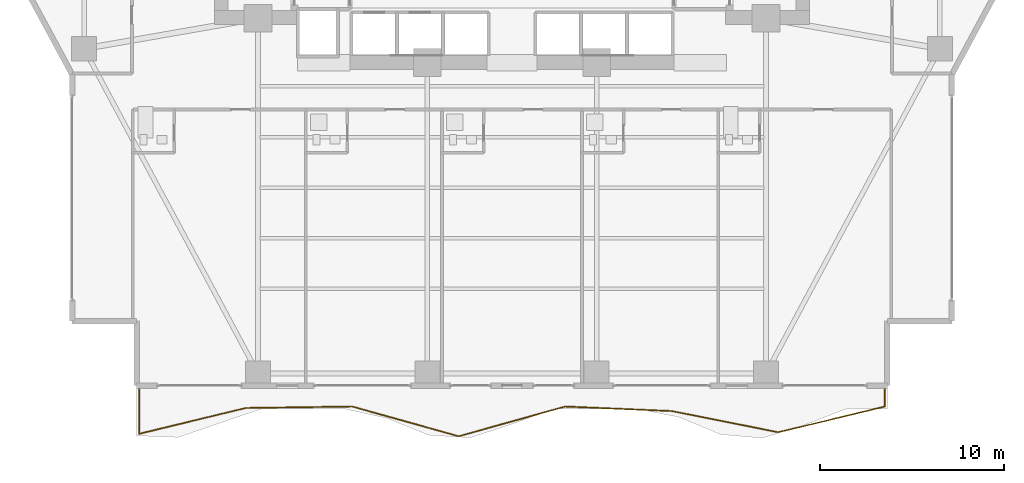
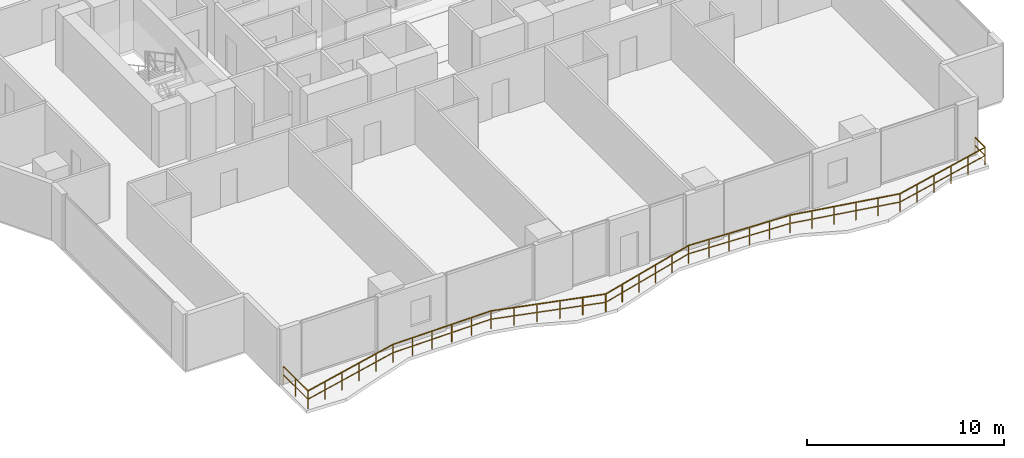
# One storey, part 24 of 27: 1 railing.
"""IFC4 building model written with IfcOpenShell, lengths in metres."""

import ifcopenshell
import ifcopenshell.guid

model = None  # the IFC model being written
_history = None  # IfcOwnerHistory: only IFC2X3 demands one
_inside = {}  # id of a spatial element -> (the spatial element, [elements in it])
_under = {}  # id of a project, library or spatial element -> (it, [spatial elements below it])
_declared = {}  # id of a project -> (the project, [libraries it declares])
_typed = {}  # id of a type object -> (the type object, [elements of that type])
_made_of = {}  # id of a material, layer set ... -> (it, [elements and type objects made of it])


def new_model(schema):
    """Start an empty IFC model of exactly this schema.

    Asked for "IFC4X3", IfcOpenShell would pick the latest addendum, in which some entities
    have other attributes; the version numbers below select the first issue.
    IFC2X3 requires an IfcOwnerHistory on every rooted entity: one is made here for all.
    """
    global model, _history
    if schema == "IFC4X3":
        model = ifcopenshell.file(schema_version=(4, 3, 0, 0))
    else:
        model = ifcopenshell.file(schema=schema)
    _inside.clear()
    _under.clear()
    _declared.clear()
    _typed.clear()
    _made_of.clear()
    _history = None
    if model.schema == "IFC2X3":
        org = make("IfcOrganization", Name="unknown")
        user = make(
            "IfcPersonAndOrganization",
            ThePerson=make("IfcPerson", FamilyName="unknown"),
            TheOrganization=org,
        )
        app = make(
            "IfcApplication",
            ApplicationDeveloper=org,
            Version="unknown",
            ApplicationFullName="unknown",
            ApplicationIdentifier="unknown",
        )
        _history = make(
            "IfcOwnerHistory",
            OwningUser=user,
            OwningApplication=app,
            ChangeAction="ADDED",
            CreationDate=0,
        )
    return model


def make(cls, **values):
    """One entity of the class cls with the attributes given. An attribute that is None is left unset."""
    return model.create_entity(
        cls, **{name: value for name, value in values.items() if value is not None}
    )


def rooted(cls, **values):
    """An entity with a GlobalId (a new one), such as an element, a storey or a relation."""
    return make(cls, GlobalId=ifcopenshell.guid.new(), OwnerHistory=_history, **values)


def si_unit(unit_type, name, prefix=None):
    """IfcSIUnit, for example si_unit("LENGTHUNIT", "METRE", prefix="MILLI")."""
    return make("IfcSIUnit", UnitType=unit_type, Prefix=prefix, Name=name)


def assignment(units):
    """IfcUnitAssignment: the units of a project."""
    return None if units is None else make("IfcUnitAssignment", Units=units)


def point(xyz):
    """IfcCartesianPoint."""
    return None if xyz is None else make("IfcCartesianPoint", Coordinates=xyz)


def direction(xyz):
    """IfcDirection."""
    return None if xyz is None else make("IfcDirection", DirectionRatios=xyz)


def frame(location, z_axis=None, x_axis=None):
    """IfcAxis2Placement3D, a coordinate frame: its origin and axes. An axis left out is left unset."""
    return make(
        "IfcAxis2Placement3D",
        Location=point(location),
        Axis=direction(z_axis),
        RefDirection=direction(x_axis),
    )


def frame_2d(location, x_axis=None):
    """IfcAxis2Placement2D, a coordinate frame in the plane: its origin and x axis."""
    return make(
        "IfcAxis2Placement2D", Location=point(location), RefDirection=direction(x_axis)
    )


def origin():
    """The frame at (0, 0, 0) with its axes left unset."""
    return frame((0.0, 0.0, 0.0))


def origin_2d():
    """The frame at (0, 0) in the plane with its x axis left unset."""
    return frame_2d((0.0, 0.0))


def place(relative_to, where):
    """IfcLocalPlacement: puts the frame where relative to a parent placement (None: the world)."""
    return make(
        "IfcLocalPlacement", PlacementRelTo=relative_to, RelativePlacement=where
    )


def context(
    kind, dimensions, precision=None, world=None, true_north=None, identifier=None
):
    """IfcGeometricRepresentationContext, for example the 3D "Model" context."""
    return make(
        "IfcGeometricRepresentationContext",
        ContextIdentifier=identifier,
        ContextType=kind,
        CoordinateSpaceDimension=dimensions,
        Precision=precision,
        WorldCoordinateSystem=world,
        TrueNorth=true_north,
    )


def subcontext(parent, identifier, kind, view, scale=None):
    """IfcGeometricRepresentationSubContext, for example "Body" below "Model"."""
    return make(
        "IfcGeometricRepresentationSubContext",
        ContextIdentifier=identifier,
        ContextType=kind,
        ParentContext=parent,
        TargetScale=scale,
        TargetView=view,
    )


def project(units=None, contexts=None):
    """IfcProject with its units and contexts."""
    return rooted(
        "IfcProject",
        Name="project",
        RepresentationContexts=contexts,
        UnitsInContext=assignment(units),
    )


def spatial(cls, under=None, at=None, **own):
    """A site, building, storey or space (cls), placed at a placement, below another one or the project."""
    s = rooted(cls, ObjectPlacement=at, **own)
    if under is not None:
        _under.setdefault(under.id(), (under, []))[1].append(s)
    return s


def profile(cls, at=None, kind="AREA", **sizes):
    """A parametric profile (cls). Its sizes go by their IFC names, for example OverallWidth=200.0."""
    return make(cls, ProfileType=kind, Position=at, **sizes)


def rectangle(**sizes):
    """IfcRectangleProfileDef."""
    return profile("IfcRectangleProfileDef", **sizes)


def extrude(swept, where, along, depth):
    """IfcExtrudedAreaSolid: the profile swept, set in the frame where, extruded along a direction by depth."""
    return make(
        "IfcExtrudedAreaSolid",
        SweptArea=swept,
        Position=where,
        ExtrudedDirection=direction(along),
        Depth=depth,
    )


def shape(context_of_items, identifier, shape_type, items):
    """IfcShapeRepresentation: the items that make up one representation, for example the "Body"."""
    return make(
        "IfcShapeRepresentation",
        ContextOfItems=context_of_items,
        RepresentationIdentifier=identifier,
        RepresentationType=shape_type,
        Items=items,
    )


def material(Name=None, Category=None):
    """IfcMaterial."""
    return make("IfcMaterial", Name=Name, Category=Category)


def made_of(thing, what):
    """Note that an element or type object is made of a material, layer set ...; save() writes the relation."""
    if what is not None:
        _made_of.setdefault(what.id(), (what, []))[1].append(thing)
    return thing


def type_object(cls, material=None, **own):
    """A type object (cls), such as IfcWallType, which elements share."""
    return made_of(rooted(cls, **own), material)


def element(
    cls,
    number,
    at=None,
    inside=None,
    cuts=None,
    type_object=None,
    material=None,
    context=None,
    identifier="Body",
    shape_type=None,
    held_by="IfcProductDefinitionShape",
    body=None,
    shapes=None,
    **own,
):
    """One element of the class cls, such as IfcWall. Its Tag is "e" and its number.

    at: its placement. inside: the storey or other place that contains it. cuts: it is an
    opening in that element (IfcRelVoidsElement). A single representation is given by context,
    identifier, shape_type and body (its items); several are given by shapes. held_by: the class
    of the entity that holds the representations. save() writes the other relations.
    """
    e = rooted(cls, Tag="e%d" % number, ObjectPlacement=at, **own)
    if body is not None:
        shapes = [shape(context, identifier, shape_type, body)]
    if shapes is not None:
        e.Representation = make(held_by, Representations=shapes)
    if inside is not None:
        _inside.setdefault(inside.id(), (inside, []))[1].append(e)
    if cuts is not None:
        rooted(
            "IfcRelVoidsElement", RelatingBuildingElement=cuts, RelatedOpeningElement=e
        )
    if type_object is not None:
        _typed.setdefault(type_object.id(), (type_object, []))[1].append(e)
    return made_of(e, material)


def aggregate(whole, parts):
    """IfcRelAggregates: a whole, such as a stair, and the parts it consists of."""
    return rooted("IfcRelAggregates", RelatingObject=whole, RelatedObjects=parts)


def save(model, path):
    """Write the relations noted so far, then the file.

    IfcRelAggregates (storeys below a building ...), IfcRelContainedInSpatialStructure (elements
    in a storey), IfcRelDefinesByType, IfcRelAssociatesMaterial and IfcRelDeclares: one each for
    every whole, place, type object, material and project.
    """
    for whole, parts in _under.values():
        aggregate(whole, parts)
    for where, things in _inside.values():
        rooted(
            "IfcRelContainedInSpatialStructure",
            RelatedElements=things,
            RelatingStructure=where,
        )
    for kind, things in _typed.values():
        rooted("IfcRelDefinesByType", RelatedObjects=things, RelatingType=kind)
    for what, things in _made_of.values():
        rooted("IfcRelAssociatesMaterial", RelatedObjects=things, RelatingMaterial=what)
    for by, libraries in _declared.values():
        rooted("IfcRelDeclares", RelatingContext=by, RelatedDefinitions=libraries)
    model.write(path)


model = new_model("IFC4")

# Units and contexts
model_context = context("Model", 3, precision=1e-05, world=origin(), true_north=direction((0.0, 1.0)))
body_context = subcontext(model_context, "Body", "Model", "MODEL_VIEW")
ifc_project = project(units=[si_unit("LENGTHUNIT", "METRE"), si_unit("AREAUNIT", "SQUARE_METRE"), si_unit("VOLUMEUNIT", "CUBIC_METRE"), si_unit("PLANEANGLEUNIT", "RADIAN"), si_unit("MASSUNIT", "GRAM", prefix="KILO")], contexts=[model_context])

# Site, building, storey
site_placement = place(None, origin())
site = spatial("IfcSite", under=ifc_project, at=site_placement, CompositionType="ELEMENT")
building_placement = place(site_placement, origin())
building = spatial("IfcBuilding", under=site, at=building_placement, Name="Zuhayl Quay Hotel", CompositionType="ELEMENT")
storey_placement = place(building_placement, frame((0.0, 0.0, 102.949951171875)))
storey = spatial("IfcBuildingStorey", under=building, at=storey_placement, Name="L25", CompositionType="ELEMENT", Elevation=102.949951171875)

# Railing
ifc_material = material(Name="Anodised Aluminium and Laminated Glass", Category="aluminium")
railing_type = type_object("IfcRailingType", Name="RL_EXT_BAL_1100", PredefinedType="BALUSTRADE", material=ifc_material)
railing_placement = place(storey_placement, frame((-20.260009765625, -15.52001953125, 0.0)))
element("IfcRailing", 1, at=railing_placement, inside=storey, type_object=railing_type, Name="L25 Balcony and Terrace Guard GR_L25_BAL_S", PredefinedType="BALUSTRADE", context=body_context, shape_type="SweptSolid", body=[
    extrude(rectangle(XDim=0.048095703125, YDim=0.048095703125, at=origin_2d()), frame((0.0, 0.0, 1.09619140625), z_axis=(0.0, -1.0, 0.0), x_axis=(1.0, 0.0, 0.0)), (0.0, 0.0, 1.0), 2.505126953125),
    extrude(rectangle(XDim=0.0361328125, YDim=0.0361328125, at=origin_2d()), frame((0.0, 0.0, 0.58251953125), z_axis=(0.0, -1.0, 0.0), x_axis=(1.0, 0.0, 0.0)), (0.0, 0.0, 1.0), 2.505126953125),
    extrude(rectangle(XDim=0.048095703125, YDim=0.048095703125, at=origin_2d()), frame((0.0, -2.505126953125, 1.09619140625), z_axis=(0.971802024376, 0.235798272722, 0.0), x_axis=(-0.235798272722, 0.971802024376, 0.0)), (0.0, 0.0, 1.0), 5.95654296875),
    extrude(rectangle(XDim=0.0361328125, YDim=0.0361328125, at=origin_2d()), frame((0.0, -2.505126953125, 0.58251953125), z_axis=(0.971802024376, 0.235798272722, 0.0), x_axis=(-0.235798272722, 0.971802024376, 0.0)), (0.0, 0.0, 1.0), 5.95654296875),
    extrude(rectangle(XDim=0.048095703125, YDim=0.048095703125, at=origin_2d()), frame((5.78857421875, -1.1005859375, 1.09619140625), z_axis=(0.999903156231, 0.013916830095, 0.0), x_axis=(-0.013916830095, 0.999903156231, 0.0)), (0.0, 0.0, 1.0), 5.7890625),
    extrude(rectangle(XDim=0.0361328125, YDim=0.0361328125, at=origin_2d()), frame((5.78857421875, -1.1005859375, 0.58251953125), z_axis=(0.999903156231, 0.013916830095, 0.0), x_axis=(-0.013916830095, 0.999903156231, 0.0)), (0.0, 0.0, 1.0), 5.7890625),
    extrude(rectangle(XDim=0.048095703125, YDim=0.048095703125, at=origin_2d()), frame((11.5771484375, -1.02001953125, 1.09619140625), z_axis=(0.963130479464, -0.269034718072, 0.0), x_axis=(0.269034718072, 0.963130479464, 0.0)), (0.0, 0.0, 1.0), 6.01025390625),
    extrude(rectangle(XDim=0.0361328125, YDim=0.0361328125, at=origin_2d()), frame((11.5771484375, -1.02001953125, 0.58251953125), z_axis=(0.963130479464, -0.269034718072, 0.0), x_axis=(0.269034718072, 0.963130479464, 0.0)), (0.0, 0.0, 1.0), 6.01025390625),
    extrude(rectangle(XDim=0.048095703125, YDim=0.048095703125, at=origin_2d()), frame((17.36572265625, -2.636962890625, 1.09619140625), z_axis=(0.963130479464, 0.269034718072, 0.0), x_axis=(-0.269034718072, 0.963130479464, 0.0)), (0.0, 0.0, 1.0), 6.01025390625),
    extrude(rectangle(XDim=0.0361328125, YDim=0.0361328125, at=origin_2d()), frame((17.36572265625, -2.636962890625, 0.58251953125), z_axis=(0.963130479464, 0.269034718072, 0.0), x_axis=(-0.269034718072, 0.963130479464, 0.0)), (0.0, 0.0, 1.0), 6.01025390625),
    extrude(rectangle(XDim=0.048095703125, YDim=0.048095703125, at=origin_2d()), frame((23.154296875, -1.02001953125, 1.09619140625), z_axis=(0.999090348538, -0.042643586365, 0.0), x_axis=(0.042643586365, 0.999090348538, 0.0)), (0.0, 0.0, 1.0), 5.7939453125),
    extrude(rectangle(XDim=0.0361328125, YDim=0.0361328125, at=origin_2d()), frame((23.154296875, -1.02001953125, 0.58251953125), z_axis=(0.999090348538, -0.042643586365, 0.0), x_axis=(0.042643586365, 0.999090348538, 0.0)), (0.0, 0.0, 1.0), 5.7939453125),
    extrude(rectangle(XDim=0.048095703125, YDim=0.048095703125, at=origin_2d()), frame((28.94287109375, -1.26708984375, 1.09619140625), z_axis=(0.980779044731, -0.195121668241, 0.0), x_axis=(0.195121668241, 0.980779044731, 0.0)), (0.0, 0.0, 1.0), 5.902099609375),
    extrude(rectangle(XDim=0.0361328125, YDim=0.0361328125, at=origin_2d()), frame((28.94287109375, -1.26708984375, 0.58251953125), z_axis=(0.980779044731, -0.195121668241, 0.0), x_axis=(0.195121668241, 0.980779044731, 0.0)), (0.0, 0.0, 1.0), 5.902099609375),
    extrude(rectangle(XDim=0.048095703125, YDim=0.048095703125, at=origin_2d()), frame((34.7314453125, -2.418701171875, 1.09619140625), z_axis=(0.972027043743, 0.234868955445, 0.0), x_axis=(-0.234868955445, 0.972027043743, 0.0)), (0.0, 0.0, 1.0), 5.955078125),
    extrude(rectangle(XDim=0.0361328125, YDim=0.0361328125, at=origin_2d()), frame((34.7314453125, -2.418701171875, 0.58251953125), z_axis=(0.972027043743, 0.234868955445, 0.0), x_axis=(-0.234868955445, 0.972027043743, 0.0)), (0.0, 0.0, 1.0), 5.955078125),
    extrude(rectangle(XDim=0.048095703125, YDim=0.048095703125, at=origin_2d()), frame((40.52001953125, -1.02001953125, 1.09619140625), z_axis=(0.0, 1.0, 0.0), x_axis=(-1.0, 0.0, 0.0)), (0.0, 0.0, 1.0), 1.02001953125),
    extrude(rectangle(XDim=0.0361328125, YDim=0.0361328125, at=origin_2d()), frame((40.52001953125, -1.02001953125, 0.58251953125), z_axis=(0.0, 1.0, 0.0), x_axis=(-1.0, 0.0, 0.0)), (0.0, 0.0, 1.0), 1.02001953125),
    extrude(rectangle(XDim=0.0419921875, YDim=0.0419921875, at=origin_2d()), origin(), (0.0, 0.0, 1.0), 1.072021484375),
    extrude(rectangle(XDim=0.0419921875, YDim=0.0419921875, at=origin_2d()), frame((0.0, -1.25244140625, 0.0)), (0.0, 0.0, 1.0), 1.072021484375),
    extrude(rectangle(XDim=0.0419921875, YDim=0.0419921875, at=origin_2d()), frame((0.0, -2.505126953125, 0.0)), (0.0, 0.0, 1.0), 1.072021484375),
    extrude(rectangle(XDim=0.0419921875, YDim=0.0419921875, at=origin_2d()), frame((1.15771484375, -2.22412109375, 0.0)), (0.0, 0.0, 1.0), 1.072021484375),
    extrude(rectangle(XDim=0.0419921875, YDim=0.0419921875, at=origin_2d()), frame((2.3154296875, -1.943359375, 0.0)), (0.0, 0.0, 1.0), 1.072021484375),
    extrude(rectangle(XDim=0.0419921875, YDim=0.0419921875, at=origin_2d()), frame((3.47314453125, -1.662353515625, 0.0)), (0.0, 0.0, 1.0), 1.072021484375),
    extrude(rectangle(XDim=0.0419921875, YDim=0.0419921875, at=origin_2d()), frame((4.630859375, -1.381591796875, 0.0)), (0.0, 0.0, 1.0), 1.072021484375),
    extrude(rectangle(XDim=0.0419921875, YDim=0.0419921875, at=origin_2d()), frame((5.78857421875, -1.1005859375, 0.0)), (0.0, 0.0, 1.0), 1.072021484375),
    extrude(rectangle(XDim=0.0419921875, YDim=0.0419921875, at=origin_2d()), frame((6.9462890625, -1.08447265625, 0.0)), (0.0, 0.0, 1.0), 1.072021484375),
    extrude(rectangle(XDim=0.0419921875, YDim=0.0419921875, at=origin_2d()), frame((8.10400390625, -1.068359375, 0.0)), (0.0, 0.0, 1.0), 1.072021484375),
    extrude(rectangle(XDim=0.0419921875, YDim=0.0419921875, at=origin_2d()), frame((9.26171875, -1.05224609375, 0.0)), (0.0, 0.0, 1.0), 1.072021484375),
    extrude(rectangle(XDim=0.0419921875, YDim=0.0419921875, at=origin_2d()), frame((10.41943359375, -1.0361328125, 0.0)), (0.0, 0.0, 1.0), 1.072021484375),
    extrude(rectangle(XDim=0.0419921875, YDim=0.0419921875, at=origin_2d()), frame((11.5771484375, -1.02001953125, 0.0)), (0.0, 0.0, 1.0), 1.072021484375),
    extrude(rectangle(XDim=0.0419921875, YDim=0.0419921875, at=origin_2d()), frame((12.73486328125, -1.343505859375, 0.0)), (0.0, 0.0, 1.0), 1.072021484375),
    extrude(rectangle(XDim=0.0419921875, YDim=0.0419921875, at=origin_2d()), frame((13.892578125, -1.666748046875, 0.0)), (0.0, 0.0, 1.0), 1.072021484375),
    extrude(rectangle(XDim=0.0419921875, YDim=0.0419921875, at=origin_2d()), frame((15.05029296875, -1.990234375, 0.0)), (0.0, 0.0, 1.0), 1.072021484375),
    extrude(rectangle(XDim=0.0419921875, YDim=0.0419921875, at=origin_2d()), frame((16.2080078125, -2.3134765625, 0.0)), (0.0, 0.0, 1.0), 1.072021484375),
    extrude(rectangle(XDim=0.0419921875, YDim=0.0419921875, at=origin_2d()), frame((17.36572265625, -2.636962890625, 0.0)), (0.0, 0.0, 1.0), 1.072021484375),
    extrude(rectangle(XDim=0.0419921875, YDim=0.0419921875, at=origin_2d()), frame((18.5234375, -2.3134765625, 0.0)), (0.0, 0.0, 1.0), 1.072021484375),
    extrude(rectangle(XDim=0.0419921875, YDim=0.0419921875, at=origin_2d()), frame((19.68115234375, -1.990234375, 0.0)), (0.0, 0.0, 1.0), 1.072021484375),
    extrude(rectangle(XDim=0.0419921875, YDim=0.0419921875, at=origin_2d()), frame((20.8388671875, -1.666748046875, 0.0)), (0.0, 0.0, 1.0), 1.072021484375),
    extrude(rectangle(XDim=0.0419921875, YDim=0.0419921875, at=origin_2d()), frame((21.99658203125, -1.343505859375, 0.0)), (0.0, 0.0, 1.0), 1.072021484375),
    extrude(rectangle(XDim=0.0419921875, YDim=0.0419921875, at=origin_2d()), frame((23.154296875, -1.02001953125, 0.0)), (0.0, 0.0, 1.0), 1.072021484375),
    extrude(rectangle(XDim=0.0419921875, YDim=0.0419921875, at=origin_2d()), frame((24.31201171875, -1.0693359375, 0.0)), (0.0, 0.0, 1.0), 1.072021484375),
    extrude(rectangle(XDim=0.0419921875, YDim=0.0419921875, at=origin_2d()), frame((25.4697265625, -1.118896484375, 0.0)), (0.0, 0.0, 1.0), 1.072021484375),
    extrude(rectangle(XDim=0.0419921875, YDim=0.0419921875, at=origin_2d()), frame((26.62744140625, -1.168212890625, 0.0)), (0.0, 0.0, 1.0), 1.072021484375),
    extrude(rectangle(XDim=0.0419921875, YDim=0.0419921875, at=origin_2d()), frame((27.78515625, -1.2177734375, 0.0)), (0.0, 0.0, 1.0), 1.072021484375),
    extrude(rectangle(XDim=0.0419921875, YDim=0.0419921875, at=origin_2d()), frame((28.94287109375, -1.26708984375, 0.0)), (0.0, 0.0, 1.0), 1.072021484375),
    extrude(rectangle(XDim=0.0419921875, YDim=0.0419921875, at=origin_2d()), frame((30.1005859375, -1.497314453125, 0.0)), (0.0, 0.0, 1.0), 1.072021484375),
    extrude(rectangle(XDim=0.0419921875, YDim=0.0419921875, at=origin_2d()), frame((31.25830078125, -1.727783203125, 0.0)), (0.0, 0.0, 1.0), 1.072021484375),
    extrude(rectangle(XDim=0.0419921875, YDim=0.0419921875, at=origin_2d()), frame((32.416015625, -1.9580078125, 0.0)), (0.0, 0.0, 1.0), 1.072021484375),
    extrude(rectangle(XDim=0.0419921875, YDim=0.0419921875, at=origin_2d()), frame((33.57373046875, -2.1884765625, 0.0)), (0.0, 0.0, 1.0), 1.072021484375),
    extrude(rectangle(XDim=0.0419921875, YDim=0.0419921875, at=origin_2d()), frame((34.7314453125, -2.418701171875, 0.0)), (0.0, 0.0, 1.0), 1.072021484375),
    extrude(rectangle(XDim=0.0419921875, YDim=0.0419921875, at=origin_2d()), frame((35.88916015625, -2.138916015625, 0.0)), (0.0, 0.0, 1.0), 1.072021484375),
    extrude(rectangle(XDim=0.0419921875, YDim=0.0419921875, at=origin_2d()), frame((37.046875, -1.859130859375, 0.0)), (0.0, 0.0, 1.0), 1.072021484375),
    extrude(rectangle(XDim=0.0419921875, YDim=0.0419921875, at=origin_2d()), frame((38.20458984375, -1.57958984375, 0.0)), (0.0, 0.0, 1.0), 1.072021484375),
    extrude(rectangle(XDim=0.0419921875, YDim=0.0419921875, at=origin_2d()), frame((39.3623046875, -1.2998046875, 0.0)), (0.0, 0.0, 1.0), 1.072021484375),
    extrude(rectangle(XDim=0.0419921875, YDim=0.0419921875, at=origin_2d()), frame((40.52001953125, -1.02001953125, 0.0)), (0.0, 0.0, 1.0), 1.072021484375),
    extrude(rectangle(XDim=0.0419921875, YDim=0.0419921875, at=origin_2d()), frame((40.52001953125, 0.0, 0.0)), (0.0, 0.0, 1.0), 1.072021484375),
])

save(model, "model.ifc")
